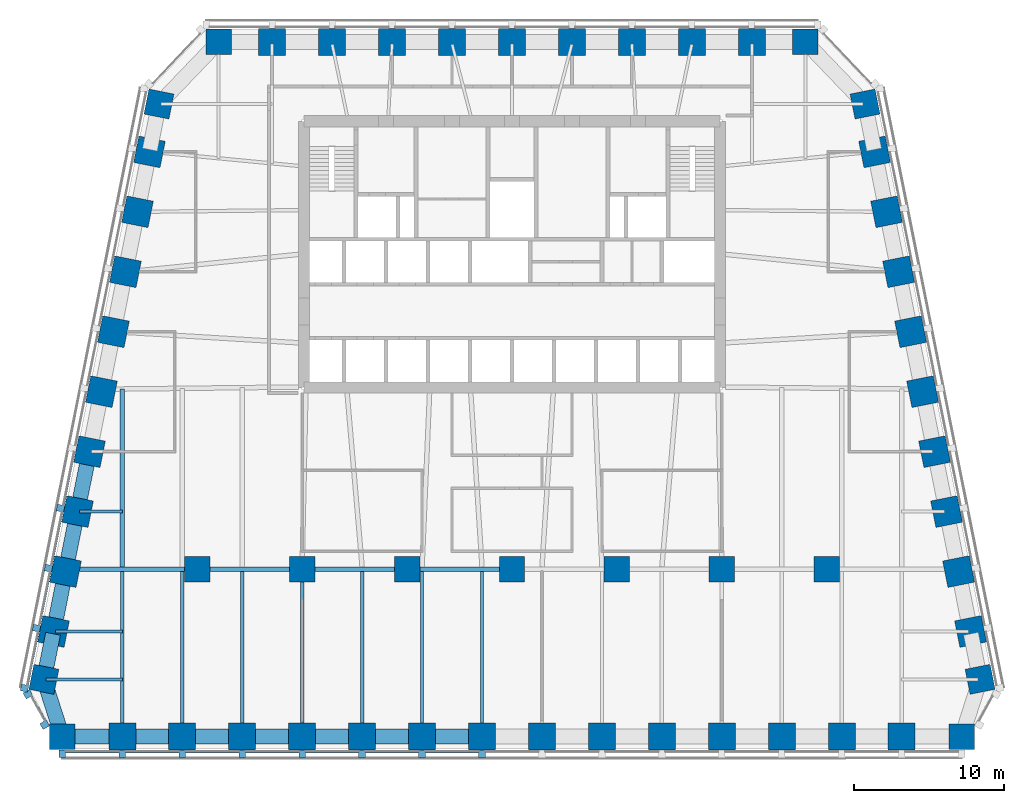
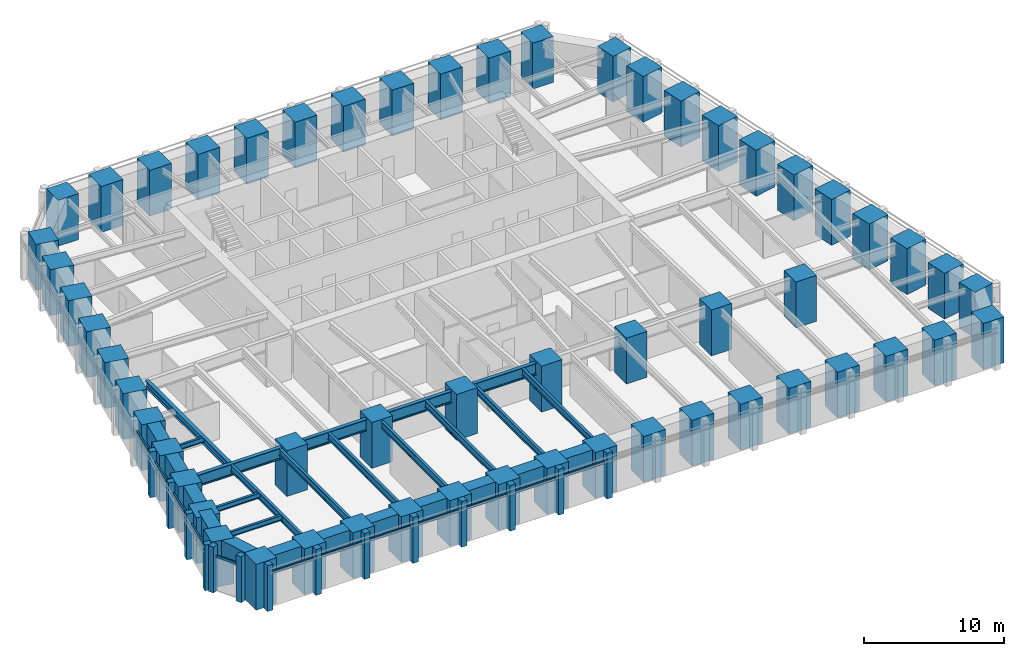
# One storey, part 1 of 10: 56 columns, 27 beams, 26 members, 3 elements without a shape of their own.
"""IFC4 building model written with IfcOpenShell, lengths in metres."""

from ifc_helpers import new_model, si_unit, direction, frame, origin, origin_2d, place, context, subcontext, project, spatial, rectangle, i_section, extrude, material, material_profile, profile_set, type_object, element, aggregate, save


model = new_model("IFC4")

# Units and contexts
model_context = context("Model", 3, precision=1e-05, world=origin(), true_north=direction((0.0, 1.0)))
body_context = subcontext(model_context, "Body", "Model", "MODEL_VIEW")
ifc_project = project(units=[si_unit("LENGTHUNIT", "METRE"), si_unit("AREAUNIT", "SQUARE_METRE"), si_unit("VOLUMEUNIT", "CUBIC_METRE"), si_unit("PLANEANGLEUNIT", "RADIAN"), si_unit("MASSUNIT", "GRAM", prefix="KILO")], contexts=[model_context])

# Site, building, storey
site_placement = place(None, origin())
site = spatial("IfcSite", under=ifc_project, at=site_placement, CompositionType="ELEMENT")
building_placement = place(site_placement, origin())
building = spatial("IfcBuilding", under=site, at=building_placement, Name="Isbrekke Arena Tower", CompositionType="ELEMENT")
storey_placement = place(building_placement, frame((0.0, 0.0, 143.0)))
storey = spatial("IfcBuildingStorey", under=building, at=storey_placement, Name="L32", CompositionType="ELEMENT", Elevation=143.0)

# Columns
ifc_material_1 = material(Name="Concrete B80 (C80/95)", Category="concrete")
ifc_material_profile_1 = material_profile(ifc_material_1, rectangle(XDim=1.699951171875, YDim=1.699951171875, at=origin_2d()), Name="RC 1700x1700")
ifc_profile_set_1 = profile_set([ifc_material_profile_1], Name="Concrete B80 (C80/95)")
column_type_1 = type_object("IfcColumnType", Name="C12 RC 1700 x 1700", PredefinedType="COLUMN", material=ifc_profile_set_1)
for number, where, z_axis, x_axis, name in (
    (1, (-21.0, -6.0, 0.0), (0.0, 0.0, 1.0), (1.0, 0.0, 0.0), "C12 I01"),
    (2, (-14.0, -6.0, 0.0), (0.0, 0.0, 1.0), (1.0, 0.0, 0.0), "C12 I02"),
    (3, (-7.0, -6.0, 0.0), (0.0, 0.0, 1.0), (1.0, 0.0, 0.0), "C12 I03"),
    (4, (0.0, -6.0, 0.0), (0.0, 0.0, 1.0), (1.0, 0.0, 0.0), "C12 I04"),
    (5, (7.0, -6.0, 0.0), (0.0, 0.0, 1.0), (1.0, 0.0, 0.0), "C12 I05"),
    (6, (14.0, -6.0, 0.0), (0.0, 0.0, 1.0), (1.0, 0.0, 0.0), "C12 I06"),
    (7, (21.0, -6.0, 0.0), (0.0, 0.0, 1.0), (1.0, 0.0, 0.0), "C12 I07"),
):
    element("IfcColumn", number, at=place(storey_placement, frame(where, z_axis=z_axis, x_axis=x_axis)), inside=storey, type_object=column_type_1, Name=name, PredefinedType="COLUMN", context=body_context, shape_type="SweptSolid", body=[
        extrude(rectangle(XDim=1.699951171875, YDim=1.699951171875, at=origin_2d()), origin(), (0.0, 0.0, 1.0), 4.0),
    ])
ifc_material_2 = material(Name="Concrete B80 (C80/95)", Category="concrete")
ifc_material_profile_2 = material_profile(ifc_material_2, rectangle(XDim=1.800048828125, YDim=1.800048828125, at=origin_2d()), Name="RC 1800x1800")
ifc_profile_set_2 = profile_set([ifc_material_profile_2], Name="Concrete B80 (C80/95)")
column_type_2 = type_object("IfcColumnType", Name="C3 RC 1800 x 1800", PredefinedType="COLUMN", material=ifc_profile_set_2)
for number, where, z_axis, x_axis, name in (
    (8, (-26.0, -17.175048828125, 0.0), (0.0, 0.0, 1.0), (1.0, 0.0, 0.0), "C3 S02"),
    (9, (-22.0, -17.175048828125, 0.0), (0.0, 0.0, 1.0), (1.0, 0.0, 0.0), "C3 S03"),
    (10, (-18.0, -17.175048828125, 0.0), (0.0, 0.0, 1.0), (1.0, 0.0, 0.0), "C3 S04"),
    (11, (-14.0, -17.175048828125, 0.0), (0.0, 0.0, 1.0), (1.0, 0.0, 0.0), "C3 S05"),
    (12, (-10.0, -17.175048828125, 0.0), (0.0, 0.0, 1.0), (1.0, 0.0, 0.0), "C3 S06"),
    (13, (-6.0, -17.175048828125, 0.0), (0.0, 0.0, 1.0), (1.0, 0.0, 0.0), "C3 S07"),
    (14, (-2.0, -17.175048828125, 0.0), (0.0, 0.0, 1.0), (1.0, 0.0, 0.0), "C3 S08"),
    (15, (2.0, -17.175048828125, 0.0), (0.0, 0.0, 1.0), (1.0, 0.0, 0.0), "C3 S09"),
    (16, (6.0, -17.175048828125, 0.0), (0.0, 0.0, 1.0), (1.0, 0.0, 0.0), "C3 S10"),
    (17, (10.0, -17.175048828125, 0.0), (0.0, 0.0, 1.0), (1.0, 0.0, 0.0), "C3 S11"),
    (18, (14.0, -17.175048828125, 0.0), (0.0, 0.0, 1.0), (1.0, 0.0, 0.0), "C3 S12"),
    (19, (18.0, -17.175048828125, 0.0), (0.0, 0.0, 1.0), (1.0, 0.0, 0.0), "C3 S13"),
    (20, (22.0, -17.175048828125, 0.0), (0.0, 0.0, 1.0), (1.0, 0.0, 0.0), "C3 S14"),
    (21, (26.0, -17.175048828125, 0.0), (0.0, 0.0, 1.0), (1.0, 0.0, 0.0), "C3 S15"),
    (22, (30.591064453125, -10.161865234375, 0.0), (0.0, 0.0, 1.0), (-0.196116135138, 0.980580675691, 0.0), "C3 E02"),
    (23, (29.791015625, -6.161865234375, 0.0), (0.0, 0.0, 1.0), (-0.196116135138, 0.980580675691, 0.0), "C3 E03"),
    (24, (28.990966796875, -2.161865234375, 0.0), (0.0, 0.0, 1.0), (-0.196116135138, 0.980580675691, 0.0), "C3 E04"),
    (25, (28.19091796875, 1.838134765625, 0.0), (0.0, 0.0, 1.0), (-0.196116135138, 0.980580675691, 0.0), "C3 E05"),
    (26, (27.39111328125, 5.838134765625, 0.0), (0.0, 0.0, 1.0), (-0.196116135138, 0.980580675691, 0.0), "C3 E06"),
    (27, (26.591064453125, 9.838134765625, 0.0), (0.0, 0.0, 1.0), (-0.196116135138, 0.980580675691, 0.0), "C3 E07"),
    (28, (25.791015625, 13.838134765625, 0.0), (0.0, 0.0, 1.0), (-0.196116135138, 0.980580675691, 0.0), "C3 E08"),
    (29, (24.990966796875, 17.838134765625, 0.0), (0.0, 0.0, 1.0), (-0.196116135138, 0.980580675691, 0.0), "C3 E09"),
    (30, (24.19091796875, 21.838134765625, 0.0), (0.0, 0.0, 1.0), (-0.196116135138, 0.980580675691, 0.0), "C3 E10"),
    (31, (16.0, 29.175048828125, 0.0), (0.0, 0.0, 1.0), (-1.0, 0.0, 0.0), "C3 N02"),
    (32, (12.0, 29.175048828125, 0.0), (0.0, 0.0, 1.0), (-1.0, 0.0, 0.0), "C3 N03"),
    (33, (8.0, 29.175048828125, 0.0), (0.0, 0.0, 1.0), (-1.0, 0.0, 0.0), "C3 N04"),
    (34, (4.0, 29.175048828125, 0.0), (0.0, 0.0, 1.0), (-1.0, 0.0, 0.0), "C3 N05"),
    (35, (0.0, 29.175048828125, 0.0), (0.0, 0.0, 1.0), (-1.0, 0.0, 0.0), "C3 N06"),
    (36, (-4.0, 29.175048828125, 0.0), (0.0, 0.0, 1.0), (-1.0, 0.0, 0.0), "C3 N07"),
    (37, (-8.0, 29.175048828125, 0.0), (0.0, 0.0, 1.0), (-1.0, 0.0, 0.0), "C3 N08"),
    (38, (-12.0, 29.175048828125, 0.0), (0.0, 0.0, 1.0), (-1.0, 0.0, 0.0), "C3 N09"),
    (39, (-16.0, 29.175048828125, 0.0), (0.0, 0.0, 1.0), (-1.0, 0.0, 0.0), "C3 N10"),
    (40, (-24.19091796875, 21.838134765625, 0.0), (0.0, 0.0, 1.0), (-0.196116135138, -0.980580675691, 0.0), "C3 W02"),
    (41, (-24.990966796875, 17.838134765625, 0.0), (0.0, 0.0, 1.0), (-0.196116135138, -0.980580675691, 0.0), "C3 W03"),
    (42, (-25.791015625, 13.838134765625, 0.0), (0.0, 0.0, 1.0), (-0.196116135138, -0.980580675691, 0.0), "C3 W04"),
    (43, (-26.591064453125, 9.838134765625, 0.0), (0.0, 0.0, 1.0), (-0.196116135138, -0.980580675691, 0.0), "C3 W05"),
    (44, (-27.39111328125, 5.838134765625, 0.0), (0.0, 0.0, 1.0), (-0.196116135138, -0.980580675691, 0.0), "C3 W06"),
    (45, (-28.19091796875, 1.838134765625, 0.0), (0.0, 0.0, 1.0), (-0.196116135138, -0.980580675691, 0.0), "C3 W07"),
    (46, (-28.990966796875, -2.161865234375, 0.0), (0.0, 0.0, 1.0), (-0.196116135138, -0.980580675691, 0.0), "C3 W08"),
    (47, (-29.791015625, -6.161865234375, 0.0), (0.0, 0.0, 1.0), (-0.196116135138, -0.980580675691, 0.0), "C3 W09"),
    (48, (-30.591064453125, -10.161865234375, 0.0), (0.0, 0.0, 1.0), (-0.196116135138, -0.980580675691, 0.0), "C3 W10"),
):
    element("IfcColumn", number, at=place(storey_placement, frame(where, z_axis=z_axis, x_axis=x_axis)), inside=storey, type_object=column_type_2, Name=name, PredefinedType="COLUMN", context=body_context, shape_type="SweptSolid", body=[
        extrude(rectangle(XDim=1.800048828125, YDim=1.800048828125, at=origin_2d()), origin(), (0.0, 0.0, 1.0), 4.0),
    ])
ifc_material_3 = material(Name="Concrete B80 (C80/95)", Category="concrete")
ifc_material_profile_3 = material_profile(ifc_material_3, rectangle(XDim=1.699951171875, YDim=1.699951171875, at=origin_2d()), Name="RC 1700x1700")
ifc_profile_set_3 = profile_set([ifc_material_profile_3], Name="Concrete B80 (C80/95)")
column_type_3 = type_object("IfcColumnType", Name="C7 RC 1700 x 1700", PredefinedType="COLUMN", material=ifc_profile_set_3)
for number, where, z_axis, x_axis, name in (
    (49, (-30.0, -17.175048828125, 0.0), (0.0, 0.0, 1.0), (1.0, 0.0, 0.0), "C7 S01"),
    (50, (30.0, -17.175048828125, 0.0), (0.0, 0.0, 1.0), (1.0, 0.0, 0.0), "C7 S16"),
    (51, (31.229248046875, -13.352783203125, 0.0), (0.0, 0.0, 1.0), (-0.196116135138, 0.980580675691, 0.0), "C7 E01"),
    (52, (23.552734375, 25.029296875, 0.0), (0.0, 0.0, 1.0), (-0.196116135138, 0.980580675691, 0.0), "C7 E11"),
    (53, (19.574951171875, 29.175048828125, 0.0), (0.0, 0.0, 1.0), (-1.0, 0.0, 0.0), "C7 N01"),
    (54, (-19.574951171875, 29.175048828125, 0.0), (0.0, 0.0, 1.0), (-1.0, 0.0, 0.0), "C7 N11"),
    (55, (-23.552734375, 25.029296875, 0.0), (0.0, 0.0, 1.0), (-0.196116135138, -0.980580675691, 0.0), "C7 W01"),
    (56, (-31.229248046875, -13.352783203125, 0.0), (0.0, 0.0, 1.0), (-0.196116135138, -0.980580675691, 0.0), "C7 W11"),
):
    element("IfcColumn", number, at=place(storey_placement, frame(where, z_axis=z_axis, x_axis=x_axis)), inside=storey, type_object=column_type_3, Name=name, PredefinedType="COLUMN", context=body_context, shape_type="SweptSolid", body=[
        extrude(rectangle(XDim=1.699951171875, YDim=1.699951171875, at=origin_2d()), origin(), (0.0, 0.0, 1.0), 4.0),
    ])

# Beams
ifc_material_4 = material(Name="Steel S355", Category="steel")
ifc_material_profile_4 = material_profile(ifc_material_4, i_section(OverallWidth=0.219970703125, OverallDepth=0.60009765625, WebThickness=0.011962890625, FlangeThickness=0.01904296875, FilletRadius=0.02392578125, at=origin_2d()), Name="IPE 600")
ifc_profile_set_4 = profile_set([ifc_material_profile_4], Name="Steel S355")
beam_type_1 = type_object("IfcBeamType", Name="B1 IPE 600", PredefinedType="BEAM", material=ifc_profile_set_4)
for number, where, z_axis, x_axis, name in (
    (57, (-26.0, -17.02490234375, 3.550048828125), (0.0, 1.0, 0.0), (-1.0, 0.0, 0.0), "B1 beam S-S02 L32"),
    (58, (-22.0, -17.02490234375, 3.550048828125), (0.0, 1.0, 0.0), (-1.0, 0.0, 0.0), "B1 beam S-S03 L32"),
    (59, (-18.0, -17.02490234375, 3.550048828125), (0.0, 1.0, 0.0), (-1.0, 0.0, 0.0), "B1 beam S-S04 L32"),
):
    element("IfcBeam", number, at=place(storey_placement, frame(where, z_axis=z_axis, x_axis=x_axis)), inside=storey, type_object=beam_type_1, Name=name, PredefinedType="BEAM", context=body_context, shape_type="SweptSolid", body=[
        extrude(i_section(OverallWidth=0.219970703125, OverallDepth=0.60009765625, WebThickness=0.011962890625, FlangeThickness=0.01904296875, FilletRadius=0.02392578125, at=origin_2d()), origin(), (0.0, 0.0, 1.0), 10.8740234375),
    ])
beam_1_placement = place(storey_placement, frame((-14.0, -17.02490234375, 3.550048828125), z_axis=(0.0, 1.0, 0.0), x_axis=(-1.0, 0.0, 0.0)))
element("IfcBeam", 60, at=beam_1_placement, inside=storey, type_object=beam_type_1, Name="B1 beam S-S05 L32", PredefinedType="BEAM", context=body_context, shape_type="SweptSolid", body=[
    extrude(i_section(OverallWidth=0.219970703125, OverallDepth=0.60009765625, WebThickness=0.011962890625, FlangeThickness=0.01904296875, FilletRadius=0.02392578125, at=origin_2d()), origin(), (0.0, 0.0, 1.0), 10.875),
])
for number, where, z_axis, x_axis, name in (
    (61, (-10.0, -17.02490234375, 3.550048828125), (0.0, 1.0, 0.0), (-1.0, 0.0, 0.0), "B1 beam S-S06 L32"),
    (62, (-6.0, -17.02490234375, 3.550048828125), (0.0, 1.0, 0.0), (-1.0, 0.0, 0.0), "B1 beam S-S07 L32"),
    (63, (-2.0, -17.02490234375, 3.550048828125), (0.0, 1.0, 0.0), (-1.0, 0.0, 0.0), "B1 beam S-S08 L32"),
):
    element("IfcBeam", number, at=place(storey_placement, frame(where, z_axis=z_axis, x_axis=x_axis)), inside=storey, type_object=beam_type_1, Name=name, PredefinedType="BEAM", context=body_context, shape_type="SweptSolid", body=[
        extrude(i_section(OverallWidth=0.219970703125, OverallDepth=0.60009765625, WebThickness=0.011962890625, FlangeThickness=0.01904296875, FilletRadius=0.02392578125, at=origin_2d()), origin(), (0.0, 0.0, 1.0), 10.8740234375),
    ])
ifc_material_5 = material(Name="Steel S355", Category="steel")
ifc_material_profile_5 = material_profile(ifc_material_5, i_section(OverallWidth=0.18994140625, OverallDepth=0.449951171875, WebThickness=0.009521484375, FlangeThickness=0.0146484375, FilletRadius=0.02099609375, at=origin_2d()), Name="IPE 450")
ifc_profile_set_5 = profile_set([ifc_material_profile_5], Name="Steel S355")
beam_type_2 = type_object("IfcBeamType", Name="B2 IPE 450", PredefinedType="BEAM", material=ifc_profile_set_5)
beam_2_placement = place(storey_placement, frame((-28.841064453125, -2.161865234375, 3.625), z_axis=(1.0, 0.0, 0.0), x_axis=(0.0, 1.0, 0.0)))
element("IfcBeam", 64, at=beam_2_placement, inside=storey, type_object=beam_type_2, Name="B2 beam E-W08 L32", PredefinedType="BEAM", context=body_context, shape_type="SweptSolid", body=[
    extrude(i_section(OverallWidth=0.18994140625, OverallDepth=0.449951171875, WebThickness=0.009521484375, FlangeThickness=0.0146484375, FilletRadius=0.02099609375, at=origin_2d()), origin(), (0.0, 0.0, 1.0), 2.841064453125),
])
beam_3_placement = place(storey_placement, frame((-30.44091796875, -10.161865234375, 3.625), z_axis=(1.0, 0.0, 0.0), x_axis=(0.0, 1.0, 0.0)))
element("IfcBeam", 65, at=beam_3_placement, inside=storey, type_object=beam_type_2, Name="B2 beam E-W10 L32", PredefinedType="BEAM", context=body_context, shape_type="SweptSolid", body=[
    extrude(i_section(OverallWidth=0.18994140625, OverallDepth=0.449951171875, WebThickness=0.009521484375, FlangeThickness=0.0146484375, FilletRadius=0.02099609375, at=origin_2d()), origin(), (0.0, 0.0, 1.0), 4.44091796875),
])
beam_4_placement = place(storey_placement, frame((-31.079345703125, -13.352783203125, 3.625), z_axis=(1.0, 0.0, 0.0), x_axis=(0.0, 1.0, 0.0)))
element("IfcBeam", 66, at=beam_4_placement, inside=storey, type_object=beam_type_2, Name="B2 beam E-W11 L32", PredefinedType="BEAM", context=body_context, shape_type="SweptSolid", body=[
    extrude(i_section(OverallWidth=0.18994140625, OverallDepth=0.449951171875, WebThickness=0.009521484375, FlangeThickness=0.0146484375, FilletRadius=0.02099609375, at=origin_2d()), origin(), (0.0, 0.0, 1.0), 5.079345703125),
])
ifc_material_6 = material(Name="Steel S355", Category="steel")
ifc_material_profile_6 = material_profile(ifc_material_6, i_section(OverallWidth=0.300048828125, OverallDepth=0.60009765625, WebThickness=0.015380859375, FlangeThickness=0.030029296875, FilletRadius=0.027099609375, at=origin_2d()), Name="HEB 600")
ifc_profile_set_6 = profile_set([ifc_material_profile_6], Name="Steel S355")
beam_type_3 = type_object("IfcBeamType", Name="B7 HEB 600", PredefinedType="BEAM", material=ifc_profile_set_6)
beam_5_placement = place(storey_placement, frame((-26.0, -5.84912109375, 3.550048828125), z_axis=(0.0, 1.0, 0.0), x_axis=(-1.0, 0.0, 0.0)))
element("IfcBeam", 67, at=beam_5_placement, inside=storey, type_object=beam_type_3, Name="B7 beam C-M01 L32", PredefinedType="BEAM", context=body_context, shape_type="SweptSolid", body=[
    extrude(i_section(OverallWidth=0.300048828125, OverallDepth=0.60009765625, WebThickness=0.015380859375, FlangeThickness=0.030029296875, FilletRadius=0.027099609375, at=origin_2d()), origin(), (0.0, 0.0, 1.0), 11.864990234375),
])

# Curtain wall, members
ifc_material_7 = material(Name="Glazed aluminium curtain wall", Category="aluminium")
curtain_wall_type = type_object("IfcCurtainWallType", Name="CWM TOWER CURTAIN WALL MID ZONE", PredefinedType="USERDEFINED", material=ifc_material_7)
curtain_wall_1_placement = place(storey_placement, origin())
curtain_wall_1 = element("IfcCurtainWall", 68, at=curtain_wall_1_placement, inside=storey, type_object=curtain_wall_type, Name="CWM curtain wall L32-S", ObjectType="TOWER CURTAIN WALL MID ZONE", PredefinedType="USERDEFINED")
ifc_material_8 = material(Name="Aluminium mullion, pale brick slip cladding", Category="masonry")
ifc_material_profile_7 = material_profile(ifc_material_8, rectangle(XDim=0.449951171875, YDim=0.5, at=origin_2d()), Name="PIER 450X500")
ifc_profile_set_7 = profile_set([ifc_material_profile_7], Name="Aluminium mullion, pale brick slip cladding")
member_type_1 = type_object("IfcMemberType", Name="CWM-M PIER MULLION 450 x 500", PredefinedType="MULLION", material=ifc_profile_set_7)
member_1_placement = place(storey_placement, frame((-30.0, -18.324951171875, 0.0), z_axis=(0.0, 0.0, 1.0), x_axis=(1.0, 0.0, 0.0)))
member_1 = element("IfcMember", 69, at=member_1_placement, type_object=member_type_1, Name="CWM-M mullion 1", PredefinedType="MULLION", context=body_context, shape_type="SweptSolid", body=[
    extrude(rectangle(XDim=0.449951171875, YDim=0.5, at=origin_2d()), origin(), (0.0, 0.0, 1.0), 4.0),
])
member_2_placement = place(storey_placement, frame((-26.0, -18.324951171875, 0.0), z_axis=(0.0, 0.0, 1.0), x_axis=(1.0, 0.0, 0.0)))
member_2 = element("IfcMember", 70, at=member_2_placement, type_object=member_type_1, Name="CWM-M mullion 2", PredefinedType="MULLION", context=body_context, shape_type="SweptSolid", body=[
    extrude(rectangle(XDim=0.449951171875, YDim=0.5, at=origin_2d()), origin(), (0.0, 0.0, 1.0), 4.0),
])
member_3_placement = place(storey_placement, frame((-22.0, -18.324951171875, 0.0), z_axis=(0.0, 0.0, 1.0), x_axis=(1.0, 0.0, 0.0)))
member_3 = element("IfcMember", 71, at=member_3_placement, type_object=member_type_1, Name="CWM-M mullion 3", PredefinedType="MULLION", context=body_context, shape_type="SweptSolid", body=[
    extrude(rectangle(XDim=0.449951171875, YDim=0.5, at=origin_2d()), origin(), (0.0, 0.0, 1.0), 4.0),
])
member_4_placement = place(storey_placement, frame((-18.0, -18.324951171875, 0.0), z_axis=(0.0, 0.0, 1.0), x_axis=(1.0, 0.0, 0.0)))
member_4 = element("IfcMember", 72, at=member_4_placement, type_object=member_type_1, Name="CWM-M mullion 4", PredefinedType="MULLION", context=body_context, shape_type="SweptSolid", body=[
    extrude(rectangle(XDim=0.449951171875, YDim=0.5, at=origin_2d()), origin(), (0.0, 0.0, 1.0), 4.0),
])
member_5_placement = place(storey_placement, frame((-14.0, -18.324951171875, 0.0), z_axis=(0.0, 0.0, 1.0), x_axis=(1.0, 0.0, 0.0)))
member_5 = element("IfcMember", 73, at=member_5_placement, type_object=member_type_1, Name="CWM-M mullion 5", PredefinedType="MULLION", context=body_context, shape_type="SweptSolid", body=[
    extrude(rectangle(XDim=0.449951171875, YDim=0.5, at=origin_2d()), origin(), (0.0, 0.0, 1.0), 4.0),
])
member_6_placement = place(storey_placement, frame((-10.0, -18.324951171875, 0.0), z_axis=(0.0, 0.0, 1.0), x_axis=(1.0, 0.0, 0.0)))
member_6 = element("IfcMember", 74, at=member_6_placement, type_object=member_type_1, Name="CWM-M mullion 6", PredefinedType="MULLION", context=body_context, shape_type="SweptSolid", body=[
    extrude(rectangle(XDim=0.449951171875, YDim=0.5, at=origin_2d()), origin(), (0.0, 0.0, 1.0), 4.0),
])
member_7_placement = place(storey_placement, frame((-6.0, -18.324951171875, 0.0), z_axis=(0.0, 0.0, 1.0), x_axis=(1.0, 0.0, 0.0)))
member_7 = element("IfcMember", 75, at=member_7_placement, type_object=member_type_1, Name="CWM-M mullion 7", PredefinedType="MULLION", context=body_context, shape_type="SweptSolid", body=[
    extrude(rectangle(XDim=0.449951171875, YDim=0.5, at=origin_2d()), origin(), (0.0, 0.0, 1.0), 4.0),
])
member_8_placement = place(storey_placement, frame((-2.0, -18.324951171875, 0.0), z_axis=(0.0, 0.0, 1.0), x_axis=(1.0, 0.0, 0.0)))
member_8 = element("IfcMember", 76, at=member_8_placement, type_object=member_type_1, Name="CWM-M mullion 8", PredefinedType="MULLION", context=body_context, shape_type="SweptSolid", body=[
    extrude(rectangle(XDim=0.449951171875, YDim=0.5, at=origin_2d()), origin(), (0.0, 0.0, 1.0), 4.0),
])

curtain_wall_2_placement = place(storey_placement, origin())
curtain_wall_2 = element("IfcCurtainWall", 77, at=curtain_wall_2_placement, inside=storey, type_object=curtain_wall_type, Name="CWM curtain wall L32-W", ObjectType="TOWER CURTAIN WALL MID ZONE", PredefinedType="USERDEFINED")
member_9_placement = place(storey_placement, frame((-30.11865234375, -1.936279296875, 0.0), z_axis=(0.0, 0.0, 1.0), x_axis=(-0.196116135138, -0.980580675691, 0.0)))
member_9 = element("IfcMember", 78, at=member_9_placement, type_object=member_type_1, Name="CWM-M mullion 8", PredefinedType="MULLION", context=body_context, shape_type="SweptSolid", body=[
    extrude(rectangle(XDim=0.449951171875, YDim=0.5, at=origin_2d()), origin(), (0.0, 0.0, 1.0), 4.0),
])
member_10_placement = place(storey_placement, frame((-30.918701171875, -5.936279296875, 0.0), z_axis=(0.0, 0.0, 1.0), x_axis=(-0.196116135138, -0.980580675691, 0.0)))
member_10 = element("IfcMember", 79, at=member_10_placement, type_object=member_type_1, Name="CWM-M mullion 9", PredefinedType="MULLION", context=body_context, shape_type="SweptSolid", body=[
    extrude(rectangle(XDim=0.449951171875, YDim=0.5, at=origin_2d()), origin(), (0.0, 0.0, 1.0), 4.0),
])
member_11_placement = place(storey_placement, frame((-31.71875, -9.936279296875, 0.0), z_axis=(0.0, 0.0, 1.0), x_axis=(-0.196116135138, -0.980580675691, 0.0)))
member_11 = element("IfcMember", 80, at=member_11_placement, type_object=member_type_1, Name="CWM-M mullion 10", PredefinedType="MULLION", context=body_context, shape_type="SweptSolid", body=[
    extrude(rectangle(XDim=0.449951171875, YDim=0.5, at=origin_2d()), origin(), (0.0, 0.0, 1.0), 4.0),
])
member_12_placement = place(storey_placement, frame((-32.518798828125, -13.936279296875, 0.0), z_axis=(0.0, 0.0, 1.0), x_axis=(-0.196116135138, -0.980580675691, 0.0)))
member_12 = element("IfcMember", 81, at=member_12_placement, type_object=member_type_1, Name="CWM-M mullion 11", PredefinedType="MULLION", context=body_context, shape_type="SweptSolid", body=[
    extrude(rectangle(XDim=0.449951171875, YDim=0.5, at=origin_2d()), origin(), (0.0, 0.0, 1.0), 4.0),
])

curtain_wall_3_placement = place(storey_placement, origin())
curtain_wall_3 = element("IfcCurtainWall", 82, at=curtain_wall_3_placement, inside=storey, type_object=curtain_wall_type, Name="CWM curtain wall L32-WS", ObjectType="TOWER CURTAIN WALL MID ZONE", PredefinedType="USERDEFINED")
member_13_placement = place(storey_placement, frame((-32.29638671875, -14.34326171875, 0.0), z_axis=(0.0, 0.0, 1.0), x_axis=(0.481918749773, -0.876215908676, 0.0)))
member_13 = element("IfcMember", 83, at=member_13_placement, type_object=member_type_1, Name="CWM-M mullion 1", PredefinedType="MULLION", context=body_context, shape_type="SweptSolid", body=[
    extrude(rectangle(XDim=0.449951171875, YDim=0.5, at=origin_2d()), origin(), (0.0, 0.0, 1.0), 4.0),
])
member_14_placement = place(storey_placement, frame((-31.174560546875, -16.38330078125, 0.0), z_axis=(0.0, 0.0, 1.0), x_axis=(0.481918749773, -0.876215908676, 0.0)))
member_14 = element("IfcMember", 84, at=member_14_placement, type_object=member_type_1, Name="CWM-M mullion 2", PredefinedType="MULLION", context=body_context, shape_type="SweptSolid", body=[
    extrude(rectangle(XDim=0.449951171875, YDim=0.5, at=origin_2d()), origin(), (0.0, 0.0, 1.0), 4.0),
])

# Member
ifc_material_9 = material(Name="Aluminium transom", Category="aluminium")
ifc_material_profile_8 = material_profile(ifc_material_9, rectangle(XDim=0.1201171875, YDim=0.199951171875, at=origin_2d()), Name="TRANSOM 120X200")
ifc_profile_set_8 = profile_set([ifc_material_profile_8], Name="Aluminium transom")
member_type_2 = type_object("IfcMemberType", Name="CWM-T TRANSOM 120 x 200", PredefinedType="USERDEFINED", material=ifc_profile_set_8)
member_15_placement = place(storey_placement, frame((-29.77490234375, -18.175048828125, 3.0), z_axis=(1.0, 0.0, 0.0), x_axis=(0.0, 1.0, 0.0)))
member_15 = element("IfcMember", 85, at=member_15_placement, type_object=member_type_2, Name="CWM-T transom 1", ObjectType="TRANSOM", PredefinedType="USERDEFINED", context=body_context, shape_type="SweptSolid", body=[
    extrude(rectangle(XDim=0.1201171875, YDim=0.199951171875, at=origin_2d()), origin(), (0.0, 0.0, 1.0), 3.5498046875),
])

member_16_placement = place(storey_placement, frame((-25.77490234375, -18.175048828125, 3.0), z_axis=(1.0, 0.0, 0.0), x_axis=(0.0, 1.0, 0.0)))
member_16 = element("IfcMember", 86, at=member_16_placement, type_object=member_type_2, Name="CWM-T transom 2", ObjectType="TRANSOM", PredefinedType="USERDEFINED", context=body_context, shape_type="SweptSolid", body=[
    extrude(rectangle(XDim=0.1201171875, YDim=0.199951171875, at=origin_2d()), origin(), (0.0, 0.0, 1.0), 3.5498046875),
])

member_17_placement = place(storey_placement, frame((-21.77490234375, -18.175048828125, 3.0), z_axis=(1.0, 0.0, 0.0), x_axis=(0.0, 1.0, 0.0)))
member_17 = element("IfcMember", 87, at=member_17_placement, type_object=member_type_2, Name="CWM-T transom 3", ObjectType="TRANSOM", PredefinedType="USERDEFINED", context=body_context, shape_type="SweptSolid", body=[
    extrude(rectangle(XDim=0.1201171875, YDim=0.199951171875, at=origin_2d()), origin(), (0.0, 0.0, 1.0), 3.5498046875),
])

member_18_placement = place(storey_placement, frame((-17.77490234375, -18.175048828125, 3.0), z_axis=(1.0, 0.0, 0.0), x_axis=(0.0, 1.0, 0.0)))
member_18 = element("IfcMember", 88, at=member_18_placement, type_object=member_type_2, Name="CWM-T transom 4", ObjectType="TRANSOM", PredefinedType="USERDEFINED", context=body_context, shape_type="SweptSolid", body=[
    extrude(rectangle(XDim=0.1201171875, YDim=0.199951171875, at=origin_2d()), origin(), (0.0, 0.0, 1.0), 3.5498046875),
])

member_19_placement = place(storey_placement, frame((-13.77490234375, -18.175048828125, 3.0), z_axis=(1.0, 0.0, 0.0), x_axis=(0.0, 1.0, 0.0)))
member_19 = element("IfcMember", 89, at=member_19_placement, type_object=member_type_2, Name="CWM-T transom 5", ObjectType="TRANSOM", PredefinedType="USERDEFINED", context=body_context, shape_type="SweptSolid", body=[
    extrude(rectangle(XDim=0.1201171875, YDim=0.199951171875, at=origin_2d()), origin(), (0.0, 0.0, 1.0), 3.5498046875),
])

member_20_placement = place(storey_placement, frame((-9.77490234375, -18.175048828125, 3.0), z_axis=(1.0, 0.0, 0.0), x_axis=(0.0, 1.0, 0.0)))
member_20 = element("IfcMember", 90, at=member_20_placement, type_object=member_type_2, Name="CWM-T transom 6", ObjectType="TRANSOM", PredefinedType="USERDEFINED", context=body_context, shape_type="SweptSolid", body=[
    extrude(rectangle(XDim=0.1201171875, YDim=0.199951171875, at=origin_2d()), origin(), (0.0, 0.0, 1.0), 3.5498046875),
])

member_21_placement = place(storey_placement, frame((-5.77490234375, -18.175048828125, 3.0), z_axis=(1.0, 0.0, 0.0), x_axis=(0.0, 1.0, 0.0)))
member_21 = element("IfcMember", 91, at=member_21_placement, type_object=member_type_2, Name="CWM-T transom 7", ObjectType="TRANSOM", PredefinedType="USERDEFINED", context=body_context, shape_type="SweptSolid", body=[
    extrude(rectangle(XDim=0.1201171875, YDim=0.199951171875, at=origin_2d()), origin(), (0.0, 0.0, 1.0), 3.5498046875),
])

aggregate(curtain_wall_1, [member_1, member_2, member_3, member_4, member_5, member_6, member_7, member_8, member_15, member_16, member_17, member_18, member_19, member_20, member_21])

member_22_placement = place(storey_placement, frame((-29.2158203125, 1.813720703125, 3.0), z_axis=(-0.196090262229, -0.980585849918, 0.0), x_axis=(0.980585849918, -0.196090262229, 0.0)))
member_22 = element("IfcMember", 92, at=member_22_placement, type_object=member_type_2, Name="CWM-T transom 7", ObjectType="TRANSOM", PredefinedType="USERDEFINED", context=body_context, shape_type="SweptSolid", body=[
    extrude(rectangle(XDim=0.1201171875, YDim=0.199951171875, at=origin_2d()), origin(), (0.0, 0.0, 1.0), 3.62939453125),
])

member_23_placement = place(storey_placement, frame((-30.015625, -2.186279296875, 3.0), z_axis=(-0.196154943734, -0.980572913173, 0.0), x_axis=(0.980572913173, -0.196154943734, 0.0)))
member_23 = element("IfcMember", 93, at=member_23_placement, type_object=member_type_2, Name="CWM-T transom 8", ObjectType="TRANSOM", PredefinedType="USERDEFINED", context=body_context, shape_type="SweptSolid", body=[
    extrude(rectangle(XDim=0.1201171875, YDim=0.199951171875, at=origin_2d()), origin(), (0.0, 0.0, 1.0), 3.62939453125),
])

member_24_placement = place(storey_placement, frame((-30.815673828125, -6.186279296875, 3.0), z_axis=(-0.196154943734, -0.980572913173, 0.0), x_axis=(0.980572913173, -0.196154943734, 0.0)))
member_24 = element("IfcMember", 94, at=member_24_placement, type_object=member_type_2, Name="CWM-T transom 9", ObjectType="TRANSOM", PredefinedType="USERDEFINED", context=body_context, shape_type="SweptSolid", body=[
    extrude(rectangle(XDim=0.1201171875, YDim=0.199951171875, at=origin_2d()), origin(), (0.0, 0.0, 1.0), 3.62939453125),
])

member_25_placement = place(storey_placement, frame((-31.61572265625, -10.186279296875, 3.0), z_axis=(-0.196090262229, -0.980585849918, 0.0), x_axis=(0.980585849918, -0.196090262229, 0.0)))
member_25 = element("IfcMember", 95, at=member_25_placement, type_object=member_type_2, Name="CWM-T transom 10", ObjectType="TRANSOM", PredefinedType="USERDEFINED", context=body_context, shape_type="SweptSolid", body=[
    extrude(rectangle(XDim=0.1201171875, YDim=0.199951171875, at=origin_2d()), origin(), (0.0, 0.0, 1.0), 3.62939453125),
])

aggregate(curtain_wall_2, [member_9, member_10, member_11, member_12, member_22, member_23, member_24, member_25])

member_26_placement = place(storey_placement, frame((-32.056640625, -14.46826171875, 3.0), z_axis=(0.481918749772, -0.876215908677, 0.0), x_axis=(0.876215908677, 0.481918749772, 0.0)))
member_26 = element("IfcMember", 96, at=member_26_placement, type_object=member_type_2, Name="CWM-T transom 1", ObjectType="TRANSOM", PredefinedType="USERDEFINED", context=body_context, shape_type="SweptSolid", body=[
    extrude(rectangle(XDim=0.1201171875, YDim=0.199951171875, at=origin_2d()), origin(), (0.0, 0.0, 1.0), 1.8779296875),
])

aggregate(curtain_wall_3, [member_13, member_14, member_26])

# Beams
ifc_material_10 = material(Name="Steel S355", Category="steel")
ifc_material_profile_9 = material_profile(ifc_material_10, i_section(OverallWidth=0.302001953125, OverallDepth=1.008056640625, WebThickness=0.02099609375, FlangeThickness=0.0400390625, FilletRadius=0.030029296875, at=origin_2d()), Name="HEM 1000")
ifc_profile_set_9 = profile_set([ifc_material_profile_9], Name="Steel S355")
beam_type_4 = type_object("IfcBeamType", Name="G1 HEM 1000", PredefinedType="BEAM", material=ifc_profile_set_9)
beam_6_placement = place(storey_placement, frame((-29.791015625, -6.0, 3.345947265625), z_axis=(1.0, 0.0, 0.0), x_axis=(0.0, 1.0, 0.0)))
element("IfcBeam", 97, at=beam_6_placement, inside=storey, type_object=beam_type_4, Name="G1 beam G1-01 L32", PredefinedType="BEAM", context=body_context, shape_type="SweptSolid", body=[
    extrude(i_section(OverallWidth=0.302001953125, OverallDepth=1.008056640625, WebThickness=0.02099609375, FlangeThickness=0.0400390625, FilletRadius=0.030029296875, at=origin_2d()), origin(), (0.0, 0.0, 1.0), 8.64111328125),
])
for number, where, z_axis, x_axis, name in (
    (98, (-20.85009765625, -6.0, 3.345947265625), (1.0, 0.0, 0.0), (0.0, 1.0, 0.0), "G1 beam G1-02 L32"),
    (99, (-13.85009765625, -6.0, 3.345947265625), (1.0, 0.0, 0.0), (0.0, 1.0, 0.0), "G1 beam G1-03 L32"),
    (100, (-6.85009765625, -6.0, 3.345947265625), (1.0, 0.0, 0.0), (0.0, 1.0, 0.0), "G1 beam G1-04 L32"),
):
    element("IfcBeam", number, at=place(storey_placement, frame(where, z_axis=z_axis, x_axis=x_axis)), inside=storey, type_object=beam_type_4, Name=name, PredefinedType="BEAM", context=body_context, shape_type="SweptSolid", body=[
        extrude(i_section(OverallWidth=0.302001953125, OverallDepth=1.008056640625, WebThickness=0.02099609375, FlangeThickness=0.0400390625, FilletRadius=0.030029296875, at=origin_2d()), origin(), (0.0, 0.0, 1.0), 6.7001953125),
    ])
ifc_material_11 = material(Name="Concrete B80 (C80/95)", Category="concrete")
ifc_material_profile_10 = material_profile(ifc_material_11, rectangle(XDim=1.0, YDim=1.60009765625, at=origin_2d()), Name="RC 1000x1600")
ifc_profile_set_10 = profile_set([ifc_material_profile_10], Name="Concrete B80 (C80/95)")
beam_type_5 = type_object("IfcBeamType", Name="SB2 RC 1000 x 1600", PredefinedType="SPANDREL", material=ifc_profile_set_10)
for number, where, z_axis, x_axis, name in (
    (101, (-29.85009765625, -17.175048828125, 3.199951171875), (1.0, 0.0, 0.0), (0.0, 1.0, 0.0), "SB2 spandrel S01-S02 L32"),
    (102, (-25.85009765625, -17.175048828125, 3.199951171875), (1.0, 0.0, 0.0), (0.0, 1.0, 0.0), "SB2 spandrel S02-S03 L32"),
    (103, (-21.85009765625, -17.175048828125, 3.199951171875), (1.0, 0.0, 0.0), (0.0, 1.0, 0.0), "SB2 spandrel S03-S04 L32"),
    (104, (-17.85009765625, -17.175048828125, 3.199951171875), (1.0, 0.0, 0.0), (0.0, 1.0, 0.0), "SB2 spandrel S04-S05 L32"),
    (105, (-13.85009765625, -17.175048828125, 3.199951171875), (1.0, 0.0, 0.0), (0.0, 1.0, 0.0), "SB2 spandrel S05-S06 L32"),
    (106, (-9.85009765625, -17.175048828125, 3.199951171875), (1.0, 0.0, 0.0), (0.0, 1.0, 0.0), "SB2 spandrel S06-S07 L32"),
    (107, (-5.85009765625, -17.175048828125, 3.199951171875), (1.0, 0.0, 0.0), (0.0, 1.0, 0.0), "SB2 spandrel S07-S08 L32"),
):
    element("IfcBeam", number, at=place(storey_placement, frame(where, z_axis=z_axis, x_axis=x_axis)), inside=storey, type_object=beam_type_5, Name=name, PredefinedType="SPANDREL", context=body_context, shape_type="SweptSolid", body=[
        extrude(rectangle(XDim=1.0, YDim=1.60009765625, at=origin_2d()), origin(), (0.0, 0.0, 1.0), 3.7001953125),
    ])
for number, where, z_axis, x_axis, name in (
    (108, (-28.220458984375, 1.691162109375, 3.199951171875), (-0.196128558387, -0.980578190959, 0.0), (0.980578190959, -0.196128558387, 0.0), "SB2 spandrel W07-W08 L32"),
    (109, (-29.0205078125, -2.308837890625, 3.199951171875), (-0.196128558387, -0.980578190959, 0.0), (0.980578190959, -0.196128558387, 0.0), "SB2 spandrel W08-W09 L32"),
):
    element("IfcBeam", number, at=place(storey_placement, frame(where, z_axis=z_axis, x_axis=x_axis)), inside=storey, type_object=beam_type_5, Name=name, PredefinedType="SPANDREL", context=body_context, shape_type="SweptSolid", body=[
        extrude(rectangle(XDim=1.0, YDim=1.60009765625, at=origin_2d()), origin(), (0.0, 0.0, 1.0), 3.779296875),
    ])
beam_7_placement = place(storey_placement, frame((-29.820556640625, -6.308837890625, 3.199951171875), z_axis=(-0.1960664412, -0.980590613169, 0.0), x_axis=(0.980590613169, -0.1960664412, 0.0)))
element("IfcBeam", 110, at=beam_7_placement, inside=storey, type_object=beam_type_5, Name="SB2 spandrel W09-W10 L32", PredefinedType="SPANDREL", context=body_context, shape_type="SweptSolid", body=[
    extrude(rectangle(XDim=1.0, YDim=1.60009765625, at=origin_2d()), origin(), (0.0, 0.0, 1.0), 3.779052734375),
])
beam_8_placement = place(storey_placement, frame((-30.620361328125, -10.308837890625, 3.199951171875), z_axis=(-0.196100243168, -0.980583853951, 0.0), x_axis=(0.980583853951, -0.196100243168, 0.0)))
element("IfcBeam", 111, at=beam_8_placement, inside=storey, type_object=beam_type_5, Name="SB2 spandrel W10-W11 L32", PredefinedType="SPANDREL", context=body_context, shape_type="SweptSolid", body=[
    extrude(rectangle(XDim=1.0, YDim=1.60009765625, at=origin_2d()), origin(), (0.0, 0.0, 1.0), 2.954345703125),
])
beam_9_placement = place(storey_placement, frame((-31.183349609375, -13.49560546875, 3.199951171875), z_axis=(0.306175101476, -0.951975213562, 0.0), x_axis=(0.951975213562, 0.306175101476, 0.0)))
element("IfcBeam", 112, at=beam_9_placement, inside=storey, type_object=beam_type_5, Name="SB2 spandrel W11-S01 L32", PredefinedType="SPANDREL", context=body_context, shape_type="SweptSolid", body=[
    extrude(rectangle(XDim=1.0, YDim=1.60009765625, at=origin_2d()), origin(), (0.0, 0.0, 1.0), 3.715087890625),
])

save(model, "model.ifc")
